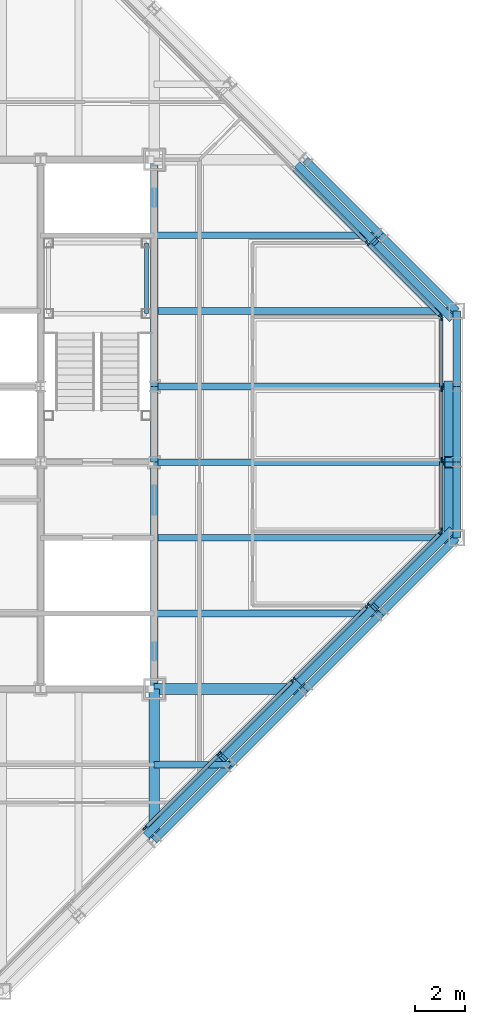
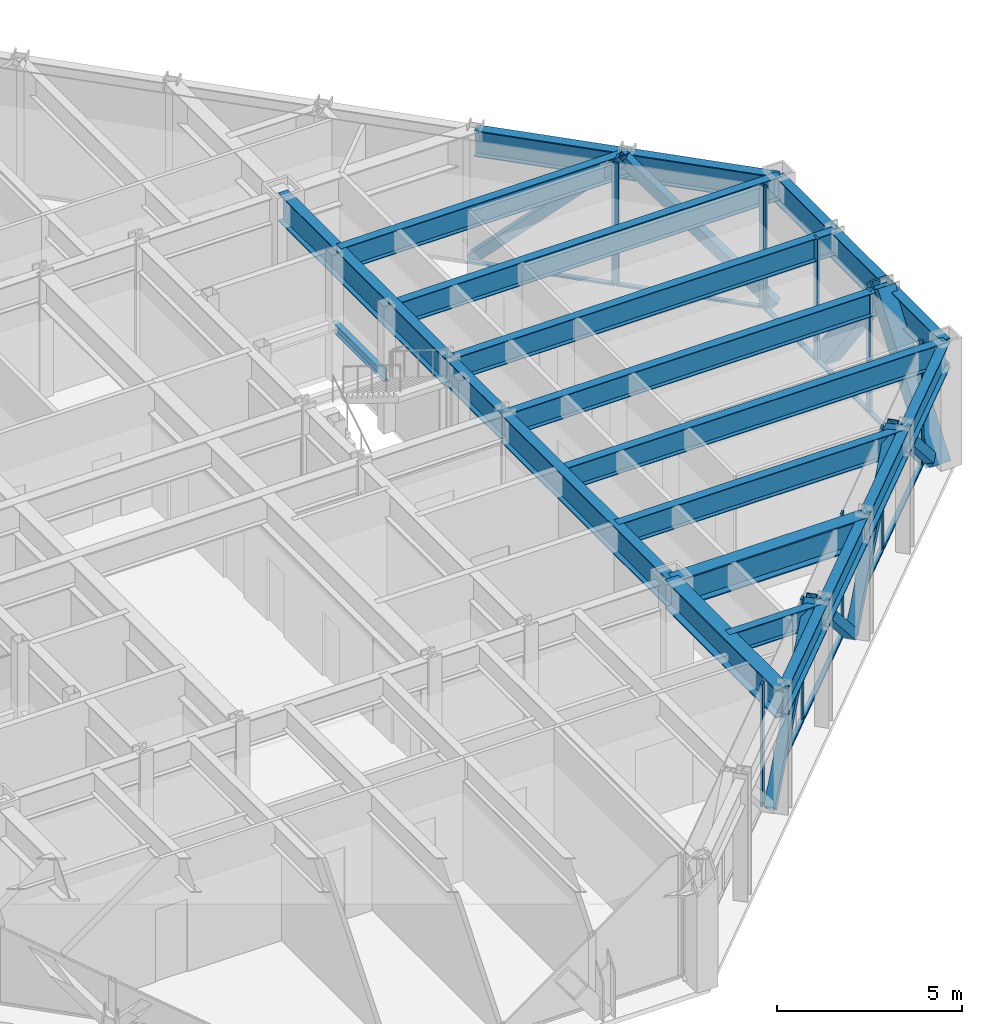
# One storey, part 7 of 15: 28 members, 22 beams, 3 elements without a shape of their own.
"""IFC4 building model written with IfcOpenShell, lengths in metres."""

from ifc_helpers import new_model, si_unit, direction, frame, origin, origin_2d, place, context, subcontext, project, spatial, rectangle, hollow_rectangle, i_section, extrude, material, layer, layer_set, material_profile, profile_set, type_object, element, aggregate, save


model = new_model("IFC4")

# Units and contexts
model_context = context("Model", 3, precision=1e-05, world=origin(), true_north=direction((0.0, 1.0)))
body_context = subcontext(model_context, "Body", "Model", "MODEL_VIEW")
ifc_project = project(units=[si_unit("LENGTHUNIT", "METRE"), si_unit("AREAUNIT", "SQUARE_METRE"), si_unit("VOLUMEUNIT", "CUBIC_METRE"), si_unit("PLANEANGLEUNIT", "RADIAN"), si_unit("MASSUNIT", "GRAM", prefix="KILO")], contexts=[model_context])

# Site, building, storey
site_placement = place(None, origin())
site = spatial("IfcSite", under=ifc_project, at=site_placement, CompositionType="ELEMENT")
building_placement = place(site_placement, origin())
building = spatial("IfcBuilding", under=site, at=building_placement, Name="Chuquiago Exchange Tower", CompositionType="ELEMENT")
storey_placement = place(building_placement, frame((0.0, 0.0, 295.800048828125)))
storey = spatial("IfcBuildingStorey", under=building, at=storey_placement, Name="L66", CompositionType="ELEMENT", Elevation=295.800048828125)

# Beams
ifc_material_1 = material(Name="Steel ASTM A992", Category="steel")
ifc_material_profile_1 = material_profile(ifc_material_1, i_section(OverallWidth=0.307373046875, OverallDepth=0.927001953125, WebThickness=0.01953125, FlangeThickness=0.031982421875, at=origin_2d()), Name="W36X194")
ifc_profile_set_1 = profile_set([ifc_material_profile_1], Name="Steel ASTM A992")
beam_type_1 = type_object("IfcBeamType", Name="B10 W36X194", PredefinedType="BEAM", material=ifc_profile_set_1)
for number, where, z_axis, x_axis, name in (
    (1, (33.0, 12.0, 3.576416015625), (0.0, 1.0, 0.0), (-1.0, 0.0, 0.0), "CB-L67-33_12-33_21"),
    (2, (33.0, 24.0, 3.576416015625), (0.0, 1.0, 0.0), (-1.0, 0.0, 0.0), "CB-L67-33_24-33_33"),
):
    element("IfcBeam", number, at=place(storey_placement, frame(where, z_axis=z_axis, x_axis=x_axis)), inside=storey, type_object=beam_type_1, Name=name, PredefinedType="BEAM", context=body_context, shape_type="SweptSolid", body=[
        extrude(i_section(OverallWidth=0.307373046875, OverallDepth=0.927001953125, WebThickness=0.01953125, FlangeThickness=0.031982421875, at=origin_2d()), origin(), (0.0, 0.0, 1.0), 9.0),
    ])
ifc_material_2 = material(Name="Steel ASTM A992", Category="steel")
ifc_material_profile_2 = material_profile(ifc_material_2, i_section(OverallWidth=0.2919921875, OverallDepth=0.8583984375, WebThickness=0.01708984375, FlangeThickness=0.031005859375, at=origin_2d()), Name="W33X169")
ifc_profile_set_2 = profile_set([ifc_material_profile_2], Name="Steel ASTM A992")
beam_type_2 = type_object("IfcBeamType", Name="B3 W33X169", PredefinedType="BEAM", material=ifc_profile_set_2)
beam_1_placement = place(storey_placement, frame((33.0, 21.0, 3.610595703125), z_axis=(0.0, 1.0, 0.0), x_axis=(-1.0, 0.0, 0.0)))
element("IfcBeam", 3, at=beam_1_placement, inside=storey, type_object=beam_type_2, Name="CB-L67-33_21-33_24", PredefinedType="BEAM", context=body_context, shape_type="SweptSolid", body=[
    extrude(i_section(OverallWidth=0.2919921875, OverallDepth=0.8583984375, WebThickness=0.01708984375, FlangeThickness=0.031005859375, at=origin_2d()), origin(), (0.0, 0.0, 1.0), 3.0),
])
ifc_material_3 = material(Name="Steel ASTM A992", Category="steel")
ifc_material_profile_3 = material_profile(ifc_material_3, i_section(OverallWidth=0.2666015625, OverallDepth=0.761962890625, WebThickness=0.014404296875, FlangeThickness=0.021484375, at=origin_2d()), Name="W30X116")
ifc_profile_set_3 = profile_set([ifc_material_profile_3], Name="Steel ASTM A992")
beam_type_3 = type_object("IfcBeamType", Name="B8 W30X116", PredefinedType="BEAM", material=ifc_profile_set_3)
beam_2_placement = place(storey_placement, frame((33.0, 15.0, 3.658935546875), z_axis=(1.0, 0.0, 0.0), x_axis=(0.0, 1.0, 0.0)))
element("IfcBeam", 4, at=beam_2_placement, inside=storey, type_object=beam_type_3, Name="FB-L67-infill-33_15-42_15-0", PredefinedType="BEAM", context=body_context, shape_type="SweptSolid", body=[
    extrude(i_section(OverallWidth=0.2666015625, OverallDepth=0.761962890625, WebThickness=0.014404296875, FlangeThickness=0.021484375, at=origin_2d()), origin(), (0.0, 0.0, 1.0), 9.0),
])
for number, where, z_axis, x_axis, name in (
    (5, (33.0, 18.0, 3.658935546875), (1.0, 0.0, 0.0), (0.0, 1.0, 0.0), "FB-L67-infill-33_18-45_18-0"),
    (6, (33.0, 21.0, 3.658935546875), (1.0, 0.0, 0.0), (0.0, 1.0, 0.0), "FB-L67-infill-33_21-45_21-0"),
    (7, (33.0, 24.0, 3.658935546875), (1.0, 0.0, 0.0), (0.0, 1.0, 0.0), "FB-L67-infill-33_24-45_24-0"),
    (8, (33.0, 27.0, 3.658935546875), (1.0, 0.0, 0.0), (0.0, 1.0, 0.0), "FB-L67-infill-33_27-45_27-0"),
):
    element("IfcBeam", number, at=place(storey_placement, frame(where, z_axis=z_axis, x_axis=x_axis)), inside=storey, type_object=beam_type_3, Name=name, PredefinedType="BEAM", context=body_context, shape_type="SweptSolid", body=[
        extrude(i_section(OverallWidth=0.2666015625, OverallDepth=0.761962890625, WebThickness=0.014404296875, FlangeThickness=0.021484375, at=origin_2d()), origin(), (0.0, 0.0, 1.0), 12.0),
    ])
beam_3_placement = place(storey_placement, frame((33.0, 30.0, 3.658935546875), z_axis=(1.0, 0.0, 0.0), x_axis=(0.0, 1.0, 0.0)))
element("IfcBeam", 9, at=beam_3_placement, inside=storey, type_object=beam_type_3, Name="FB-L67-infill-33_30-42_30-0", PredefinedType="BEAM", context=body_context, shape_type="SweptSolid", body=[
    extrude(i_section(OverallWidth=0.2666015625, OverallDepth=0.761962890625, WebThickness=0.014404296875, FlangeThickness=0.021484375, at=origin_2d()), origin(), (0.0, 0.0, 1.0), 9.0),
])
ifc_material_4 = material(Name="Steel ASTM A992", Category="steel")
ifc_material_profile_4 = material_profile(ifc_material_4, i_section(OverallWidth=0.256591796875, OverallDepth=0.693359375, WebThickness=0.014404296875, FlangeThickness=0.023681640625, at=origin_2d()), Name="W27X114")
ifc_profile_set_4 = profile_set([ifc_material_profile_4], Name="Steel ASTM A992")
beam_type_4 = type_object("IfcBeamType", Name="B9 W27X114", PredefinedType="BEAM", material=ifc_profile_set_4)
beam_4_placement = place(storey_placement, frame((33.0, 9.0, 3.693359375), z_axis=(1.0, 0.0, 0.0), x_axis=(0.0, 1.0, 0.0)))
element("IfcBeam", 10, at=beam_4_placement, inside=storey, type_object=beam_type_4, Name="FB-L67-corner-33_9-36_9-0", PredefinedType="BEAM", context=body_context, shape_type="SweptSolid", body=[
    extrude(i_section(OverallWidth=0.256591796875, OverallDepth=0.693359375, WebThickness=0.014404296875, FlangeThickness=0.023681640625, at=origin_2d()), origin(), (0.0, 0.0, 1.0), 3.0),
])

# Curtain wall, members
ifc_material_5 = material(Name="Aluminium curtain wall system", Category="aluminium")
ifc_layer_1 = layer(ifc_material_5, 0.22509765625)
ifc_layer_set_1 = layer_set([ifc_layer_1], Name="CW2 office curtain wall")
curtain_wall_type_1 = type_object("IfcCurtainWallType", Name="CW2 office curtain wall", PredefinedType="NOTDEFINED", material=ifc_layer_set_1)
curtain_wall_1_placement = place(storey_placement, origin())
curtain_wall_1 = element("IfcCurtainWall", 11, at=curtain_wall_1_placement, inside=storey, type_object=curtain_wall_type_1, Name="CW2 curtain wall L66", PredefinedType="NOTDEFINED")
ifc_material_6 = material(Name="Aluminium mullion, pale anodised", Category="aluminium")
ifc_material_profile_5 = material_profile(ifc_material_6, rectangle(XDim=0.06494140625, YDim=0.22509765625, at=origin_2d()), Name="AL 65x225")
ifc_profile_set_5 = profile_set([ifc_material_profile_5], Name="Aluminium mullion, pale anodised")
member_type_1 = type_object("IfcMemberType", Name="CW2-M mullion 65x225", PredefinedType="MULLION", material=ifc_profile_set_5)
member_1_placement = place(storey_placement, frame((44.39990234375, 18.281005859375, 0.0), z_axis=(0.0, 0.0, 1.0), x_axis=(-1.0, 0.0, 0.0)))
member_1 = element("IfcMember", 12, at=member_1_placement, type_object=member_type_1, Name="CW2 mullion 1", PredefinedType="MULLION", context=body_context, shape_type="SweptSolid", body=[
    extrude(rectangle(XDim=0.06494140625, YDim=0.22509765625, at=origin_2d()), origin(), (0.0, 0.0, 1.0), 4.0400390625),
])
member_2_placement = place(storey_placement, frame((44.39990234375, 21.082763671875, 0.0), z_axis=(0.0, 0.0, 1.0), x_axis=(-1.0, 0.0, 0.0)))
member_2 = element("IfcMember", 13, at=member_2_placement, type_object=member_type_1, Name="CW2 mullion 2", PredefinedType="MULLION", context=body_context, shape_type="SweptSolid", body=[
    extrude(rectangle(XDim=0.06494140625, YDim=0.22509765625, at=origin_2d()), origin(), (0.0, 0.0, 1.0), 4.0400390625),
])
member_3_placement = place(storey_placement, frame((44.39990234375, 23.917236328125, 0.0), z_axis=(0.0, 0.0, 1.0), x_axis=(-1.0, 0.0, 0.0)))
member_3 = element("IfcMember", 14, at=member_3_placement, type_object=member_type_1, Name="CW2 mullion 3", PredefinedType="MULLION", context=body_context, shape_type="SweptSolid", body=[
    extrude(rectangle(XDim=0.06494140625, YDim=0.22509765625, at=origin_2d()), origin(), (0.0, 0.0, 1.0), 4.0400390625),
])
member_4_placement = place(storey_placement, frame((44.39990234375, 26.718994140625, 0.0), z_axis=(0.0, 0.0, 1.0), x_axis=(-1.0, 0.0, 0.0)))
member_4 = element("IfcMember", 15, at=member_4_placement, type_object=member_type_1, Name="CW2 mullion 4", PredefinedType="MULLION", context=body_context, shape_type="SweptSolid", body=[
    extrude(rectangle(XDim=0.06494140625, YDim=0.22509765625, at=origin_2d()), origin(), (0.0, 0.0, 1.0), 4.0400390625),
])
ifc_material_7 = material(Name="Aluminium transom, pale anodised", Category="aluminium")
ifc_material_profile_6 = material_profile(ifc_material_7, rectangle(XDim=0.139892578125, YDim=0.06494140625, at=origin_2d()), Name="AL 140x65")
ifc_profile_set_6 = profile_set([ifc_material_profile_6], Name="Aluminium transom, pale anodised")
member_type_2 = type_object("IfcMemberType", Name="CW2-T transom 65x140", PredefinedType="MULLION", material=ifc_profile_set_6)
member_5_placement = place(storey_placement, frame((44.39990234375, 18.3134765625, 0.032470703125), z_axis=(0.0, 1.0, 0.0), x_axis=(-1.0, 0.0, 0.0)))
member_5 = element("IfcMember", 16, at=member_5_placement, type_object=member_type_2, Name="CW2 transom 1.1", PredefinedType="MULLION", context=body_context, shape_type="SweptSolid", body=[
    extrude(rectangle(XDim=0.139892578125, YDim=0.06494140625, at=origin_2d()), origin(), (0.0, 0.0, 1.0), 2.73681640625),
])
member_6_placement = place(storey_placement, frame((44.39990234375, 21.115234375, 0.032470703125), z_axis=(0.0, 1.0, 0.0), x_axis=(-1.0, 0.0, 0.0)))
member_6 = element("IfcMember", 17, at=member_6_placement, type_object=member_type_2, Name="CW2 transom 2.1", PredefinedType="MULLION", context=body_context, shape_type="SweptSolid", body=[
    extrude(rectangle(XDim=0.139892578125, YDim=0.06494140625, at=origin_2d()), origin(), (0.0, 0.0, 1.0), 2.76953125),
])
member_7_placement = place(storey_placement, frame((44.39990234375, 23.94970703125, 0.032470703125), z_axis=(0.0, 1.0, 0.0), x_axis=(-1.0, 0.0, 0.0)))
member_7 = element("IfcMember", 18, at=member_7_placement, type_object=member_type_2, Name="CW2 transom 3.1", PredefinedType="MULLION", context=body_context, shape_type="SweptSolid", body=[
    extrude(rectangle(XDim=0.139892578125, YDim=0.06494140625, at=origin_2d()), origin(), (0.0, 0.0, 1.0), 2.73681640625),
])
aggregate(curtain_wall_1, [member_1, member_2, member_3, member_4, member_5, member_6, member_7])

ifc_material_8 = material(Name="Aluminium curtain wall system", Category="aluminium")
ifc_layer_2 = layer(ifc_material_8, 0.199951171875)
ifc_layer_set_2 = layer_set([ifc_layer_2], Name="CW3 facet curtain wall")
curtain_wall_type_2 = type_object("IfcCurtainWallType", Name="CW3 facet curtain wall", PredefinedType="NOTDEFINED", material=ifc_layer_set_2)
curtain_wall_2_placement = place(storey_placement, origin())
curtain_wall_2 = element("IfcCurtainWall", 19, at=curtain_wall_2_placement, inside=storey, type_object=curtain_wall_type_2, Name="CW3 curtain wall L66", PredefinedType="NOTDEFINED")
ifc_material_9 = material(Name="Aluminium mullion, pale anodised", Category="aluminium")
ifc_material_profile_7 = material_profile(ifc_material_9, rectangle(XDim=0.06494140625, YDim=0.199951171875, at=origin_2d()), Name="AL 65x200")
ifc_profile_set_7 = profile_set([ifc_material_profile_7], Name="Aluminium mullion, pale anodised")
member_type_3 = type_object("IfcMemberType", Name="CW3-M mullion 65x200", PredefinedType="MULLION", material=ifc_profile_set_7)
member_8_placement = place(storey_placement, frame((32.63427734375, 6.48291015625, 0.0), z_axis=(0.0, 0.0, 1.0), x_axis=(-0.707106781187, 0.707106781187, 0.0)))
member_8 = element("IfcMember", 20, at=member_8_placement, type_object=member_type_3, Name="CW3 mullion 3", PredefinedType="MULLION", context=body_context, shape_type="SweptSolid", body=[
    extrude(rectangle(XDim=0.06494140625, YDim=0.199951171875, at=origin_2d()), origin(), (0.0, 0.0, 1.0), 4.0400390625),
])
member_9_placement = place(storey_placement, frame((35.57568359375, 9.42431640625, 0.0), z_axis=(0.0, 0.0, 1.0), x_axis=(-0.707106781187, 0.707106781187, 0.0)))
member_9 = element("IfcMember", 21, at=member_9_placement, type_object=member_type_3, Name="CW3 mullion 4", PredefinedType="MULLION", context=body_context, shape_type="SweptSolid", body=[
    extrude(rectangle(XDim=0.06494140625, YDim=0.199951171875, at=origin_2d()), origin(), (0.0, 0.0, 1.0), 4.0400390625),
])
member_10_placement = place(storey_placement, frame((38.51708984375, 12.36572265625, 0.0), z_axis=(0.0, 0.0, 1.0), x_axis=(-0.707106781187, 0.707106781187, 0.0)))
member_10 = element("IfcMember", 22, at=member_10_placement, type_object=member_type_3, Name="CW3 mullion 5", PredefinedType="MULLION", context=body_context, shape_type="SweptSolid", body=[
    extrude(rectangle(XDim=0.06494140625, YDim=0.199951171875, at=origin_2d()), origin(), (0.0, 0.0, 1.0), 4.0400390625),
])
member_11_placement = place(storey_placement, frame((41.45849609375, 15.30712890625, 0.0), z_axis=(0.0, 0.0, 1.0), x_axis=(-0.707106781187, 0.707106781187, 0.0)))
member_11 = element("IfcMember", 23, at=member_11_placement, type_object=member_type_3, Name="CW3 mullion 6", PredefinedType="MULLION", context=body_context, shape_type="SweptSolid", body=[
    extrude(rectangle(XDim=0.06494140625, YDim=0.199951171875, at=origin_2d()), origin(), (0.0, 0.0, 1.0), 4.0400390625),
])
member_12_placement = place(storey_placement, frame((44.376953125, 18.2255859375, 0.0), z_axis=(0.0, 0.0, 1.0), x_axis=(-0.707106781187, 0.707106781187, 0.0)))
member_12 = element("IfcMember", 24, at=member_12_placement, type_object=member_type_3, Name="CW3 mullion 7", PredefinedType="MULLION", context=body_context, shape_type="SweptSolid", body=[
    extrude(rectangle(XDim=0.06494140625, YDim=0.199951171875, at=origin_2d()), origin(), (0.0, 0.0, 1.0), 4.0400390625),
])

curtain_wall_3_placement = place(storey_placement, origin())
curtain_wall_3 = element("IfcCurtainWall", 25, at=curtain_wall_3_placement, inside=storey, type_object=curtain_wall_type_2, Name="CW3 curtain wall L66", PredefinedType="NOTDEFINED")
member_13_placement = place(storey_placement, frame((44.376953125, 26.7744140625, 0.0), z_axis=(0.0, 0.0, 1.0), x_axis=(-0.707106781187, -0.707106781187, 0.0)))
member_13 = element("IfcMember", 26, at=member_13_placement, type_object=member_type_3, Name="CW3 mullion 1", PredefinedType="MULLION", context=body_context, shape_type="SweptSolid", body=[
    extrude(rectangle(XDim=0.06494140625, YDim=0.199951171875, at=origin_2d()), origin(), (0.0, 0.0, 1.0), 4.0400390625),
])
member_14_placement = place(storey_placement, frame((41.45849609375, 29.69287109375, 0.0), z_axis=(0.0, 0.0, 1.0), x_axis=(-0.707106781187, -0.707106781187, 0.0)))
member_14 = element("IfcMember", 27, at=member_14_placement, type_object=member_type_3, Name="CW3 mullion 2", PredefinedType="MULLION", context=body_context, shape_type="SweptSolid", body=[
    extrude(rectangle(XDim=0.06494140625, YDim=0.199951171875, at=origin_2d()), origin(), (0.0, 0.0, 1.0), 4.0400390625),
])

# Member
ifc_material_10 = material(Name="Aluminium transom, pale anodised", Category="aluminium")
ifc_material_profile_8 = material_profile(ifc_material_10, rectangle(XDim=0.139892578125, YDim=0.06494140625, at=origin_2d()), Name="AL 140x65")
ifc_profile_set_8 = profile_set([ifc_material_profile_8], Name="Aluminium transom, pale anodised")
member_type_4 = type_object("IfcMemberType", Name="CW3-T transom 65x140", PredefinedType="MULLION", material=ifc_profile_set_8)
member_15_placement = place(storey_placement, frame((32.6572265625, 6.505859375, 0.032470703125), z_axis=(0.707106781187, 0.707106781187, 0.0), x_axis=(-0.707106781187, 0.707106781187, 0.0)))
member_15 = element("IfcMember", 28, at=member_15_placement, type_object=member_type_4, Name="CW3 transom 3.1", PredefinedType="MULLION", context=body_context, shape_type="SweptSolid", body=[
    extrude(rectangle(XDim=0.139892578125, YDim=0.06494140625, at=origin_2d()), origin(), (0.0, 0.0, 1.0), 4.094970703125),
])

member_16_placement = place(storey_placement, frame((35.5986328125, 9.447265625, 0.032470703125), z_axis=(0.707106781187, 0.707106781187, 0.0), x_axis=(-0.707106781187, 0.707106781187, 0.0)))
member_16 = element("IfcMember", 29, at=member_16_placement, type_object=member_type_4, Name="CW3 transom 4.1", PredefinedType="MULLION", context=body_context, shape_type="SweptSolid", body=[
    extrude(rectangle(XDim=0.139892578125, YDim=0.06494140625, at=origin_2d()), origin(), (0.0, 0.0, 1.0), 4.094970703125),
])

member_17_placement = place(storey_placement, frame((38.5400390625, 12.388671875, 0.032470703125), z_axis=(0.707106781187, 0.707106781187, 0.0), x_axis=(-0.707106781187, 0.707106781187, 0.0)))
member_17 = element("IfcMember", 30, at=member_17_placement, type_object=member_type_4, Name="CW3 transom 5.1", PredefinedType="MULLION", context=body_context, shape_type="SweptSolid", body=[
    extrude(rectangle(XDim=0.139892578125, YDim=0.06494140625, at=origin_2d()), origin(), (0.0, 0.0, 1.0), 4.094970703125),
])

member_18_placement = place(storey_placement, frame((41.4814453125, 15.330078125, 0.032470703125), z_axis=(0.707106781187, 0.707106781187, 0.0), x_axis=(-0.707106781187, 0.707106781187, 0.0)))
member_18 = element("IfcMember", 31, at=member_18_placement, type_object=member_type_4, Name="CW3 transom 6.1", PredefinedType="MULLION", context=body_context, shape_type="SweptSolid", body=[
    extrude(rectangle(XDim=0.139892578125, YDim=0.06494140625, at=origin_2d()), origin(), (0.0, 0.0, 1.0), 4.0625),
])

aggregate(curtain_wall_2, [member_8, member_9, member_10, member_11, member_12, member_15, member_16, member_17, member_18])

member_19_placement = place(storey_placement, frame((44.35400390625, 26.79736328125, 0.032470703125), z_axis=(-0.707106781187, 0.707106781187, 0.0), x_axis=(-0.707106781187, -0.707106781187, 0.0)))
member_19 = element("IfcMember", 32, at=member_19_placement, type_object=member_type_4, Name="CW3 transom 1.1", PredefinedType="MULLION", context=body_context, shape_type="SweptSolid", body=[
    extrude(rectangle(XDim=0.139892578125, YDim=0.06494140625, at=origin_2d()), origin(), (0.0, 0.0, 1.0), 4.0625),
])

member_20_placement = place(storey_placement, frame((41.435546875, 29.7158203125, 0.032470703125), z_axis=(-0.707106781187, 0.707106781187, 0.0), x_axis=(-0.707106781187, -0.707106781187, 0.0)))
member_20 = element("IfcMember", 33, at=member_20_placement, type_object=member_type_4, Name="CW3 transom 2.1", PredefinedType="MULLION", context=body_context, shape_type="SweptSolid", body=[
    extrude(rectangle(XDim=0.139892578125, YDim=0.06494140625, at=origin_2d()), origin(), (0.0, 0.0, 1.0), 4.094970703125),
])

aggregate(curtain_wall_3, [member_13, member_14, member_19, member_20])

# Beams
ifc_material_11 = material(Name="Steel ASTM A992", Category="steel")
ifc_material_profile_9 = material_profile(ifc_material_11, i_section(OverallWidth=0.424072265625, OverallDepth=0.947509765625, WebThickness=0.02392578125, FlangeThickness=0.042724609375, at=origin_2d()), Name="W36X302")
ifc_profile_set_9 = profile_set([ifc_material_profile_9], Name="Steel ASTM A992")
beam_type_5 = type_object("IfcBeamType", Name="G4 W36X302", PredefinedType="BEAM", material=ifc_profile_set_9)
for number, where, z_axis, x_axis, name in (
    (34, (33.0, 12.0, 3.566162109375), (0.0, -1.0, 0.0), (1.0, 0.0, 0.0), "FB-L67-girder-33_12-33_6-0"),
    (35, (33.0, 12.0, 3.566162109375), (1.0, 0.0, 0.0), (0.0, 1.0, 0.0), "FB-L67-girder-33_12-39_12-0"),
):
    element("IfcBeam", number, at=place(storey_placement, frame(where, z_axis=z_axis, x_axis=x_axis)), inside=storey, type_object=beam_type_5, Name=name, PredefinedType="BEAM", context=body_context, shape_type="SweptSolid", body=[
        extrude(i_section(OverallWidth=0.424072265625, OverallDepth=0.947509765625, WebThickness=0.02392578125, FlangeThickness=0.042724609375, at=origin_2d()), origin(), (0.0, 0.0, 1.0), 6.0),
    ])

# Members
ifc_material_12 = material(Name="Steel ASTM A500 Grade C", Category="steel")
ifc_material_profile_10 = material_profile(ifc_material_12, hollow_rectangle(XDim=0.3046875, YDim=0.3046875, WallThickness=0.0146484375, at=origin_2d()), Name="HSS12X12X5/8")
ifc_profile_set_10 = profile_set([ifc_material_profile_10], Name="Steel ASTM A500 Grade C")
member_type_5 = type_object("IfcMemberType", Name="LB3 HSS12X12X5/8", PredefinedType="BRACE", material=ifc_profile_set_10)
for number, where, z_axis, x_axis, name in (
    (36, (32.750732421875, 6.249267578125, 0.0), (0.512077265487, 0.512077265487, 0.689604051861), (-0.707106781187, 0.707106781187, 0.0), "LB-L66-33_6-36_9"),
    (37, (38.750732421875, 12.249267578125, 0.0), (-0.512077265487, -0.512077265487, 0.689604051861), (0.707106781187, -0.707106781187, 0.0), "LB-L66-36_9-39_12"),
    (38, (38.750732421875, 12.249267578125, 0.0), (0.512077265487, 0.512077265487, 0.689604051861), (-0.707106781187, 0.707106781187, 0.0), "LB-L66-39_12-42_15"),
    (39, (44.750732421875, 18.249267578125, 0.0), (-0.512077265487, -0.512077265487, 0.689604051861), (0.707106781187, -0.707106781187, 0.0), "LB-L66-42_15-45_18"),
    (40, (44.750732421875, 26.750732421875, 0.0), (-0.512077265487, 0.512077265487, 0.689604051861), (-0.707106781187, -0.707106781187, 0.0), "LB-L66-45_27-42_30"),
    (41, (38.750732421875, 32.750732421875, 0.0), (0.512077265487, -0.512077265487, 0.689604051861), (0.707106781187, 0.707106781187, 0.0), "LB-L66-42_30-39_33"),
):
    element("IfcMember", number, at=place(storey_placement, frame(where, z_axis=z_axis, x_axis=x_axis)), inside=storey, type_object=member_type_5, Name=name, PredefinedType="BRACE", context=body_context, shape_type="SweptSolid", body=[
        extrude(hollow_rectangle(XDim=0.3046875, YDim=0.3046875, WallThickness=0.0146484375, at=origin_2d()), origin(), (0.0, 0.0, 1.0), 5.8583984375),
    ])

# Beam
ifc_material_13 = material(Name="Steel ASTM A992", Category="steel")
ifc_material_profile_11 = material_profile(ifc_material_13, i_section(OverallWidth=0.164794921875, OverallDepth=0.309814453125, WebThickness=0.005859375, FlangeThickness=0.009765625, at=origin_2d()), Name="W12X26")
ifc_profile_set_11 = profile_set([ifc_material_profile_11], Name="Steel ASTM A992")
beam_type_6 = type_object("IfcBeamType", Name="LS1 W12X26", PredefinedType="BEAM", material=ifc_profile_set_11)
beam_5_placement = place(storey_placement, frame((32.68994140625, 26.889892578125, 1.7451171875), z_axis=(0.0, 1.0, 0.0), x_axis=(-1.0, 0.0, 0.0)))
element("IfcBeam", 42, at=beam_5_placement, inside=storey, type_object=beam_type_6, Name="Stair ST2 L66 landing 1 stringer", PredefinedType="BEAM", context=body_context, shape_type="SweptSolid", body=[
    extrude(i_section(OverallWidth=0.164794921875, OverallDepth=0.309814453125, WebThickness=0.005859375, FlangeThickness=0.009765625, at=origin_2d()), origin(), (0.0, 0.0, 1.0), 2.800048828125),
])

# Members
ifc_material_14 = material(Name="Steel ASTM A572 Grade 50", Category="steel")
ifc_material_profile_12 = material_profile(ifc_material_14, hollow_rectangle(XDim=0.550048828125, YDim=0.550048828125, WallThickness=0.044921875, at=origin_2d()), Name="BOX550X550X45")
ifc_profile_set_12 = profile_set([ifc_material_profile_12], Name="Steel ASTM A572 Grade 50")
member_type_6 = type_object("IfcMemberType", Name="MB4 BOX550X550X45", PredefinedType="BRACE", material=ifc_profile_set_12)
for number, where, z_axis, x_axis, name in (
    (43, (44.77001953125, 18.0, 0.0), (0.0, 0.596173923302, 0.802855312728), (-1.0, 0.0, 0.0), "Mega diagonal L66 E face"),
    (44, (44.77001953125, 24.0, 0.0), (0.0, -0.596173923302, 0.802855312728), (1.0, 0.0, 0.0), "Mega diagonal L66 E face"),
):
    element("IfcMember", number, at=place(storey_placement, frame(where, z_axis=z_axis, x_axis=x_axis)), inside=storey, type_object=member_type_6, Name=name, PredefinedType="BRACE", context=body_context, shape_type="SweptSolid", body=[
        extrude(hollow_rectangle(XDim=0.550048828125, YDim=0.550048828125, WallThickness=0.044921875, at=origin_2d()), origin(), (0.0, 0.0, 1.0), 5.031982421875),
    ])

# Beams
ifc_material_15 = material(Name="Steel ASTM A992", Category="steel")
ifc_material_profile_13 = material_profile(ifc_material_15, i_section(OverallWidth=0.2919921875, OverallDepth=0.8583984375, WebThickness=0.01708984375, FlangeThickness=0.031005859375, at=origin_2d()), Name="W33X169")
ifc_profile_set_13 = profile_set([ifc_material_profile_13], Name="Steel ASTM A992")
beam_type_7 = type_object("IfcBeamType", Name="SP4 W33X169", PredefinedType="SPANDREL", material=ifc_profile_set_13)
for number, where, z_axis, x_axis, name in (
    (45, (33.0, 6.0, 3.610595703125), (0.707106781187, 0.707106781187, 0.0), (-0.707106781187, 0.707106781187, 0.0), "SPB-L67-33_6-36_9"),
    (46, (36.0, 9.0, 3.610595703125), (0.707106781187, 0.707106781187, 0.0), (-0.707106781187, 0.707106781187, 0.0), "SPB-L67-36_9-39_12"),
    (47, (39.0, 12.0, 3.610595703125), (0.707106781187, 0.707106781187, 0.0), (-0.707106781187, 0.707106781187, 0.0), "SPB-L67-39_12-42_15"),
    (48, (42.0, 15.0, 3.610595703125), (0.707106781187, 0.707106781187, 0.0), (-0.707106781187, 0.707106781187, 0.0), "SPB-L67-42_15-45_18"),
):
    element("IfcBeam", number, at=place(storey_placement, frame(where, z_axis=z_axis, x_axis=x_axis)), inside=storey, type_object=beam_type_7, Name=name, PredefinedType="SPANDREL", context=body_context, shape_type="SweptSolid", body=[
        extrude(i_section(OverallWidth=0.2919921875, OverallDepth=0.8583984375, WebThickness=0.01708984375, FlangeThickness=0.031005859375, at=origin_2d()), origin(), (0.0, 0.0, 1.0), 4.24267578125),
    ])
for number, where, z_axis, x_axis, name in (
    (49, (45.0, 18.0, 3.610595703125), (0.0, 1.0, 0.0), (-1.0, 0.0, 0.0), "SPB-L67-45_18-45_21"),
    (50, (45.0, 21.0, 3.610595703125), (0.0, 1.0, 0.0), (-1.0, 0.0, 0.0), "SPB-L67-45_21-45_24"),
    (51, (45.0, 24.0, 3.610595703125), (0.0, 1.0, 0.0), (-1.0, 0.0, 0.0), "SPB-L67-45_24-45_27"),
):
    element("IfcBeam", number, at=place(storey_placement, frame(where, z_axis=z_axis, x_axis=x_axis)), inside=storey, type_object=beam_type_7, Name=name, PredefinedType="SPANDREL", context=body_context, shape_type="SweptSolid", body=[
        extrude(i_section(OverallWidth=0.2919921875, OverallDepth=0.8583984375, WebThickness=0.01708984375, FlangeThickness=0.031005859375, at=origin_2d()), origin(), (0.0, 0.0, 1.0), 3.0),
    ])
for number, where, z_axis, x_axis, name in (
    (52, (45.0, 27.0, 3.610595703125), (-0.707106781187, 0.707106781187, 0.0), (-0.707106781187, -0.707106781187, 0.0), "SPB-L67-45_27-42_30"),
    (53, (42.0, 30.0, 3.610595703125), (-0.707106781187, 0.707106781187, 0.0), (-0.707106781187, -0.707106781187, 0.0), "SPB-L67-42_30-39_33"),
):
    element("IfcBeam", number, at=place(storey_placement, frame(where, z_axis=z_axis, x_axis=x_axis)), inside=storey, type_object=beam_type_7, Name=name, PredefinedType="SPANDREL", context=body_context, shape_type="SweptSolid", body=[
        extrude(i_section(OverallWidth=0.2919921875, OverallDepth=0.8583984375, WebThickness=0.01708984375, FlangeThickness=0.031005859375, at=origin_2d()), origin(), (0.0, 0.0, 1.0), 4.24267578125),
    ])

save(model, "model.ifc")
